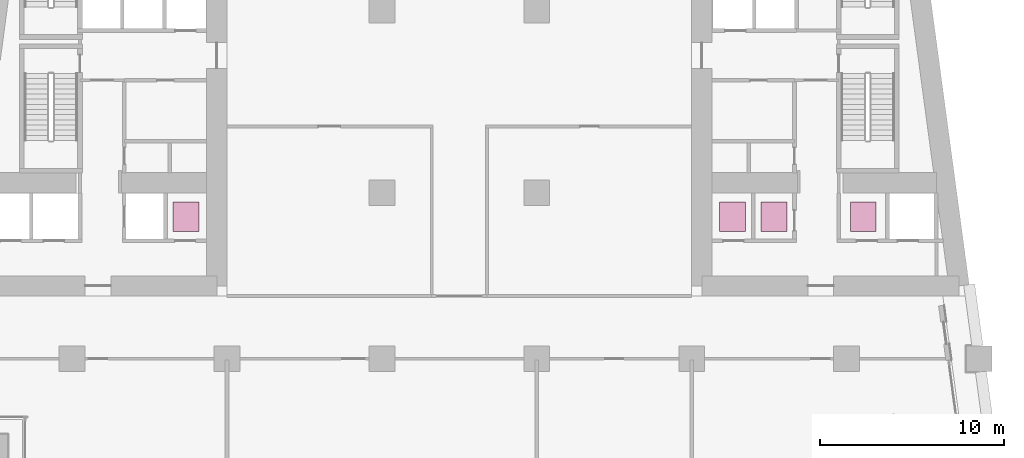
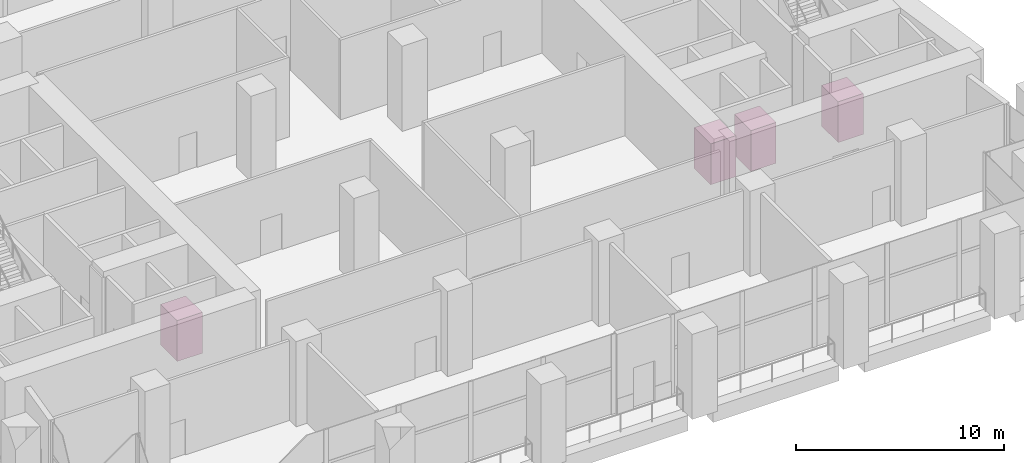
# One storey, part 15 of 15: 4 transport elements.
"""IFC4 building model written with IfcOpenShell, lengths in metres."""

import ifcopenshell
import ifcopenshell.guid

model = None  # the IFC model being written
_history = None  # IfcOwnerHistory: only IFC2X3 demands one
_inside = {}  # id of a spatial element -> (the spatial element, [elements in it])
_under = {}  # id of a project, library or spatial element -> (it, [spatial elements below it])
_declared = {}  # id of a project -> (the project, [libraries it declares])
_typed = {}  # id of a type object -> (the type object, [elements of that type])
_made_of = {}  # id of a material, layer set ... -> (it, [elements and type objects made of it])


def new_model(schema):
    """Start an empty IFC model of exactly this schema.

    Asked for "IFC4X3", IfcOpenShell would pick the latest addendum, in which some entities
    have other attributes; the version numbers below select the first issue.
    IFC2X3 requires an IfcOwnerHistory on every rooted entity: one is made here for all.
    """
    global model, _history
    if schema == "IFC4X3":
        model = ifcopenshell.file(schema_version=(4, 3, 0, 0))
    else:
        model = ifcopenshell.file(schema=schema)
    _inside.clear()
    _under.clear()
    _declared.clear()
    _typed.clear()
    _made_of.clear()
    _history = None
    if model.schema == "IFC2X3":
        org = make("IfcOrganization", Name="unknown")
        user = make(
            "IfcPersonAndOrganization",
            ThePerson=make("IfcPerson", FamilyName="unknown"),
            TheOrganization=org,
        )
        app = make(
            "IfcApplication",
            ApplicationDeveloper=org,
            Version="unknown",
            ApplicationFullName="unknown",
            ApplicationIdentifier="unknown",
        )
        _history = make(
            "IfcOwnerHistory",
            OwningUser=user,
            OwningApplication=app,
            ChangeAction="ADDED",
            CreationDate=0,
        )
    return model


def make(cls, **values):
    """One entity of the class cls with the attributes given. An attribute that is None is left unset."""
    return model.create_entity(
        cls, **{name: value for name, value in values.items() if value is not None}
    )


def rooted(cls, **values):
    """An entity with a GlobalId (a new one), such as an element, a storey or a relation."""
    return make(cls, GlobalId=ifcopenshell.guid.new(), OwnerHistory=_history, **values)


def si_unit(unit_type, name, prefix=None):
    """IfcSIUnit, for example si_unit("LENGTHUNIT", "METRE", prefix="MILLI")."""
    return make("IfcSIUnit", UnitType=unit_type, Prefix=prefix, Name=name)


def assignment(units):
    """IfcUnitAssignment: the units of a project."""
    return None if units is None else make("IfcUnitAssignment", Units=units)


def point(xyz):
    """IfcCartesianPoint."""
    return None if xyz is None else make("IfcCartesianPoint", Coordinates=xyz)


def direction(xyz):
    """IfcDirection."""
    return None if xyz is None else make("IfcDirection", DirectionRatios=xyz)


def frame(location, z_axis=None, x_axis=None):
    """IfcAxis2Placement3D, a coordinate frame: its origin and axes. An axis left out is left unset."""
    return make(
        "IfcAxis2Placement3D",
        Location=point(location),
        Axis=direction(z_axis),
        RefDirection=direction(x_axis),
    )


def frame_2d(location, x_axis=None):
    """IfcAxis2Placement2D, a coordinate frame in the plane: its origin and x axis."""
    return make(
        "IfcAxis2Placement2D", Location=point(location), RefDirection=direction(x_axis)
    )


def origin():
    """The frame at (0, 0, 0) with its axes left unset."""
    return frame((0.0, 0.0, 0.0))


def origin_2d():
    """The frame at (0, 0) in the plane with its x axis left unset."""
    return frame_2d((0.0, 0.0))


def place(relative_to, where):
    """IfcLocalPlacement: puts the frame where relative to a parent placement (None: the world)."""
    return make(
        "IfcLocalPlacement", PlacementRelTo=relative_to, RelativePlacement=where
    )


def context(
    kind, dimensions, precision=None, world=None, true_north=None, identifier=None
):
    """IfcGeometricRepresentationContext, for example the 3D "Model" context."""
    return make(
        "IfcGeometricRepresentationContext",
        ContextIdentifier=identifier,
        ContextType=kind,
        CoordinateSpaceDimension=dimensions,
        Precision=precision,
        WorldCoordinateSystem=world,
        TrueNorth=true_north,
    )


def subcontext(parent, identifier, kind, view, scale=None):
    """IfcGeometricRepresentationSubContext, for example "Body" below "Model"."""
    return make(
        "IfcGeometricRepresentationSubContext",
        ContextIdentifier=identifier,
        ContextType=kind,
        ParentContext=parent,
        TargetScale=scale,
        TargetView=view,
    )


def project(units=None, contexts=None):
    """IfcProject with its units and contexts."""
    return rooted(
        "IfcProject",
        Name="project",
        RepresentationContexts=contexts,
        UnitsInContext=assignment(units),
    )


def spatial(cls, under=None, at=None, **own):
    """A site, building, storey or space (cls), placed at a placement, below another one or the project."""
    s = rooted(cls, ObjectPlacement=at, **own)
    if under is not None:
        _under.setdefault(under.id(), (under, []))[1].append(s)
    return s


def profile(cls, at=None, kind="AREA", **sizes):
    """A parametric profile (cls). Its sizes go by their IFC names, for example OverallWidth=200.0."""
    return make(cls, ProfileType=kind, Position=at, **sizes)


def rectangle(**sizes):
    """IfcRectangleProfileDef."""
    return profile("IfcRectangleProfileDef", **sizes)


def extrude(swept, where, along, depth):
    """IfcExtrudedAreaSolid: the profile swept, set in the frame where, extruded along a direction by depth."""
    return make(
        "IfcExtrudedAreaSolid",
        SweptArea=swept,
        Position=where,
        ExtrudedDirection=direction(along),
        Depth=depth,
    )


def shape(context_of_items, identifier, shape_type, items):
    """IfcShapeRepresentation: the items that make up one representation, for example the "Body"."""
    return make(
        "IfcShapeRepresentation",
        ContextOfItems=context_of_items,
        RepresentationIdentifier=identifier,
        RepresentationType=shape_type,
        Items=items,
    )


def material(Name=None, Category=None):
    """IfcMaterial."""
    return make("IfcMaterial", Name=Name, Category=Category)


def made_of(thing, what):
    """Note that an element or type object is made of a material, layer set ...; save() writes the relation."""
    if what is not None:
        _made_of.setdefault(what.id(), (what, []))[1].append(thing)
    return thing


def type_object(cls, material=None, **own):
    """A type object (cls), such as IfcWallType, which elements share."""
    return made_of(rooted(cls, **own), material)


def element(
    cls,
    number,
    at=None,
    inside=None,
    cuts=None,
    type_object=None,
    material=None,
    context=None,
    identifier="Body",
    shape_type=None,
    held_by="IfcProductDefinitionShape",
    body=None,
    shapes=None,
    **own,
):
    """One element of the class cls, such as IfcWall. Its Tag is "e" and its number.

    at: its placement. inside: the storey or other place that contains it. cuts: it is an
    opening in that element (IfcRelVoidsElement). A single representation is given by context,
    identifier, shape_type and body (its items); several are given by shapes. held_by: the class
    of the entity that holds the representations. save() writes the other relations.
    """
    e = rooted(cls, Tag="e%d" % number, ObjectPlacement=at, **own)
    if body is not None:
        shapes = [shape(context, identifier, shape_type, body)]
    if shapes is not None:
        e.Representation = make(held_by, Representations=shapes)
    if inside is not None:
        _inside.setdefault(inside.id(), (inside, []))[1].append(e)
    if cuts is not None:
        rooted(
            "IfcRelVoidsElement", RelatingBuildingElement=cuts, RelatedOpeningElement=e
        )
    if type_object is not None:
        _typed.setdefault(type_object.id(), (type_object, []))[1].append(e)
    return made_of(e, material)


def aggregate(whole, parts):
    """IfcRelAggregates: a whole, such as a stair, and the parts it consists of."""
    return rooted("IfcRelAggregates", RelatingObject=whole, RelatedObjects=parts)


def save(model, path):
    """Write the relations noted so far, then the file.

    IfcRelAggregates (storeys below a building ...), IfcRelContainedInSpatialStructure (elements
    in a storey), IfcRelDefinesByType, IfcRelAssociatesMaterial and IfcRelDeclares: one each for
    every whole, place, type object, material and project.
    """
    for whole, parts in _under.values():
        aggregate(whole, parts)
    for where, things in _inside.values():
        rooted(
            "IfcRelContainedInSpatialStructure",
            RelatedElements=things,
            RelatingStructure=where,
        )
    for kind, things in _typed.values():
        rooted("IfcRelDefinesByType", RelatedObjects=things, RelatingType=kind)
    for what, things in _made_of.values():
        rooted("IfcRelAssociatesMaterial", RelatedObjects=things, RelatingMaterial=what)
    for by, libraries in _declared.values():
        rooted("IfcRelDeclares", RelatingContext=by, RelatedDefinitions=libraries)
    model.write(path)


model = new_model("IFC4")

# Units and contexts
model_context = context("Model", 3, precision=1e-05, world=origin(), true_north=direction((0.0, 1.0)))
body_context = subcontext(model_context, "Body", "Model", "MODEL_VIEW")
ifc_project = project(units=[si_unit("LENGTHUNIT", "METRE"), si_unit("AREAUNIT", "SQUARE_METRE"), si_unit("VOLUMEUNIT", "CUBIC_METRE"), si_unit("PLANEANGLEUNIT", "RADIAN"), si_unit("MASSUNIT", "GRAM", prefix="KILO")], contexts=[model_context])

# Site, building, storey
site_placement = place(None, origin())
site = spatial("IfcSite", under=ifc_project, at=site_placement, CompositionType="ELEMENT")
building_placement = place(site_placement, origin())
building = spatial("IfcBuilding", under=site, at=building_placement, Name="Candeia Pilgrim Tower and Theatre", CompositionType="ELEMENT")
storey_placement = place(building_placement, frame((0.0, 0.0, 86.0)))
storey = spatial("IfcBuildingStorey", under=building, at=storey_placement, Name="L19", CompositionType="ELEMENT", Elevation=86.0)

# Transport elements
ifc_material = material(Name="Stainless steel lift car", Category="steel")
transport_element_type = type_object("IfcTransportElementType", Name="LIFT-1400x1600 1050kg", PredefinedType="ELEVATOR", material=ifc_material)
for number, where, z_axis, x_axis, name in (
    (1, (135.29736328125, 114.699951171875, 0.0), (0.0, 0.0, 1.0), (1.0, 0.0, 0.0), "Mid-rise lift MR1"),
    (2, (130.45458984375, 114.699951171875, 0.0), (0.0, 0.0, 1.0), (1.0, 0.0, 0.0), "Mid-rise lift MR2"),
    (3, (128.21826171875, 114.699951171875, 0.0), (0.0, 0.0, 1.0), (1.0, 0.0, 0.0), "Mid-rise lift MR3"),
    (4, (98.581787109375, 114.699951171875, 0.0), (0.0, 0.0, 1.0), (1.0, 0.0, 0.0), "Mid-rise lift MR4"),
):
    element("IfcTransportElement", number, at=place(storey_placement, frame(where, z_axis=z_axis, x_axis=x_axis)), inside=storey, type_object=transport_element_type, Name=name, PredefinedType="ELEVATOR", context=body_context, shape_type="SweptSolid", body=[
        extrude(rectangle(XDim=1.39990234375, YDim=1.60009765625, at=origin_2d()), origin(), (0.0, 0.0, 1.0), 2.39990234375),
    ])

save(model, "model.ifc")
